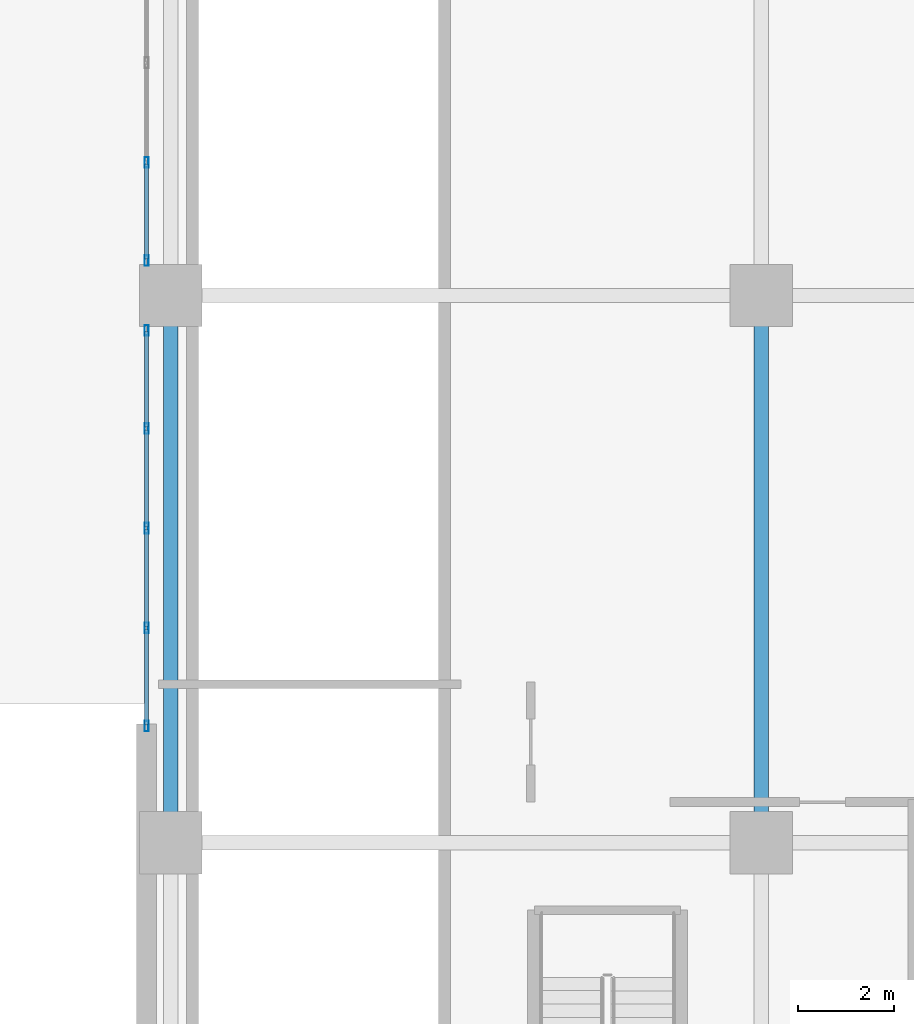
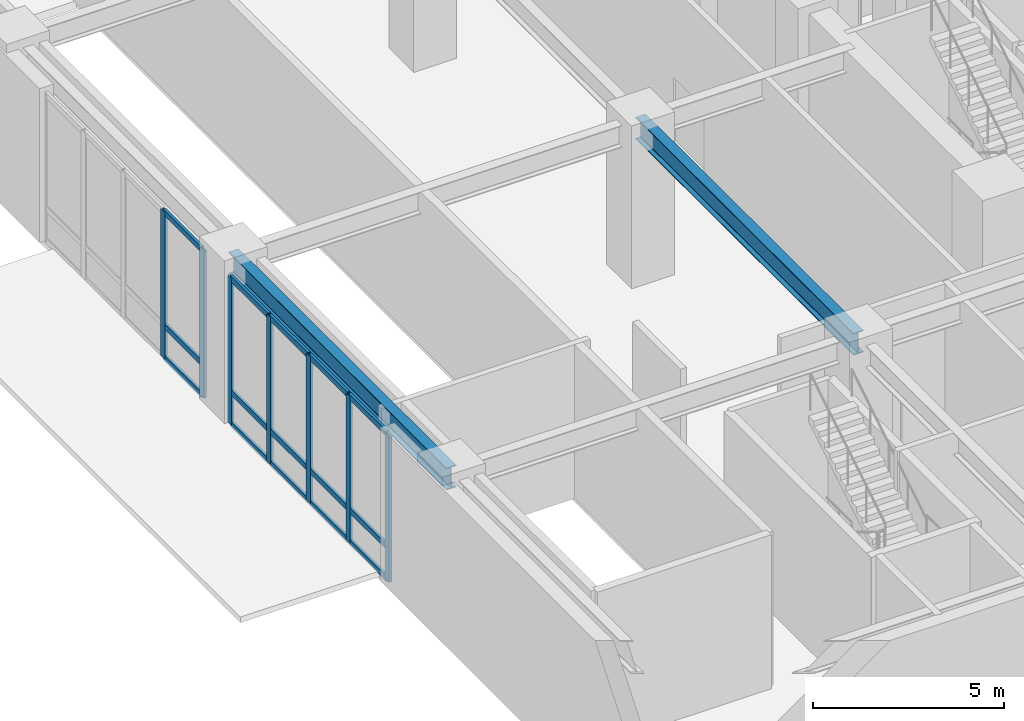
# One storey, part 3 of 23: 22 members, 2 beams, 2 elements without a shape of their own.
"""IFC4 building model written with IfcOpenShell, lengths in metres."""

from ifc_helpers import new_model, si_unit, direction, frame, origin, origin_2d, place, context, subcontext, project, spatial, hollow_rectangle, i_section, extrude, material, layer, layer_set, material_profile, profile_set, type_object, element, aggregate, save


model = new_model("IFC4")

# Units and contexts
model_context = context("Model", 3, precision=1e-05, world=origin(), true_north=direction((0.0, 1.0)))
body_context = subcontext(model_context, "Body", "Model", "MODEL_VIEW")
ifc_project = project(units=[si_unit("LENGTHUNIT", "METRE"), si_unit("AREAUNIT", "SQUARE_METRE"), si_unit("VOLUMEUNIT", "CUBIC_METRE"), si_unit("PLANEANGLEUNIT", "RADIAN"), si_unit("MASSUNIT", "GRAM", prefix="KILO")], contexts=[model_context])

# Site, building, storey
site_placement = place(None, origin())
site = spatial("IfcSite", under=ifc_project, at=site_placement, CompositionType="ELEMENT")
building_placement = place(site_placement, origin())
building = spatial("IfcBuilding", under=site, at=building_placement, Name="Voryun Gate Residences", CompositionType="ELEMENT")
storey_placement = place(building_placement, origin())
storey = spatial("IfcBuildingStorey", under=building, at=storey_placement, Name="L00", CompositionType="ELEMENT", Elevation=0.0)

# Beams
ifc_material_1 = material(Name="Steel SM355", Category="steel")
ifc_material_profile_1 = material_profile(ifc_material_1, i_section(OverallWidth=0.300048828125, OverallDepth=0.699951171875, WebThickness=0.012939453125, FlangeThickness=0.02392578125, FilletRadius=0.01806640625, at=origin_2d()), Name="H-700x300x13x24")
ifc_profile_set_1 = profile_set([ifc_material_profile_1], Name="Steel SM355")
beam_type = type_object("IfcBeamType", Name="BM_GIRD_700", PredefinedType="USERDEFINED", material=ifc_profile_set_1)
for number, where, z_axis, x_axis, name in (
    (1, (-37.89990234375, -11.39990234375, 4.570068359375), (0.0, 1.0, 0.0), (-1.0, 0.0, 0.0), "BM-L00-PWY--37.9-1"),
    (2, (-25.60009765625, -11.39990234375, 4.570068359375), (0.0, 1.0, 0.0), (-1.0, 0.0, 0.0), "BM-L00-PWY--25.6-1"),
):
    element("IfcBeam", number, at=place(storey_placement, frame(where, z_axis=z_axis, x_axis=x_axis)), inside=storey, type_object=beam_type, Name=name, ObjectType="GIRDER", PredefinedType="USERDEFINED", context=body_context, shape_type="SweptSolid", body=[
        extrude(i_section(OverallWidth=0.300048828125, OverallDepth=0.699951171875, WebThickness=0.012939453125, FlangeThickness=0.02392578125, FilletRadius=0.01806640625, at=origin_2d()), origin(), (0.0, 0.0, 1.0), 11.39990234375),
    ])

# Curtain wall, members
ifc_material_2 = material(Name="Anodised aluminium", Category="aluminium")
ifc_layer = layer(ifc_material_2, 0.219970703125, Name="CW_SYS_POD_DARK_GLASS")
ifc_layer_set = layer_set([ifc_layer], Name="Anodised aluminium")
curtain_wall_type = type_object("IfcCurtainWallType", Name="CW_SYS_POD_DARK_GLASS", PredefinedType="NOTDEFINED", material=ifc_layer_set)
curtain_wall_1_placement = place(storey_placement, origin())
curtain_wall_1 = element("IfcCurtainWall", 3, at=curtain_wall_1_placement, inside=storey, type_object=curtain_wall_type, Name="Curtain wall CW1-L00-WPW-S", PredefinedType="NOTDEFINED")
ifc_material_3 = material(Name="Anodised aluminium", Category="aluminium")
ifc_material_profile_2 = material_profile(ifc_material_3, hollow_rectangle(XDim=0.080078125, YDim=0.219970703125, WallThickness=0.0048828125, at=origin_2d()), Name="ALU-MULL-220x80x5")
ifc_profile_set_2 = profile_set([ifc_material_profile_2], Name="Anodised aluminium")
member_type_1 = type_object("IfcMemberType", Name="CW_MULL_POD", PredefinedType="MULLION", material=ifc_profile_set_2)
member_1_placement = place(storey_placement, frame((-38.39990234375, -8.969970703125, 0.0), z_axis=(0.0, 0.0, 1.0), x_axis=(-1.0, 0.0, 0.0)))
member_1 = element("IfcMember", 4, at=member_1_placement, type_object=member_type_1, Name="CW1 mullion 1", PredefinedType="MULLION", context=body_context, shape_type="SweptSolid", body=[
    extrude(hollow_rectangle(XDim=0.080078125, YDim=0.219970703125, WallThickness=0.0048828125, at=origin_2d()), origin(), (0.0, 0.0, 1.0), 4.699951171875),
])
member_2_placement = place(storey_placement, frame((-38.39990234375, -6.923828125, 0.0), z_axis=(0.0, 0.0, 1.0), x_axis=(-1.0, 0.0, 0.0)))
member_2 = element("IfcMember", 5, at=member_2_placement, type_object=member_type_1, Name="CW1 mullion 2", PredefinedType="MULLION", context=body_context, shape_type="SweptSolid", body=[
    extrude(hollow_rectangle(XDim=0.080078125, YDim=0.219970703125, WallThickness=0.0048828125, at=origin_2d()), origin(), (0.0, 0.0, 1.0), 4.699951171875),
])
member_3_placement = place(storey_placement, frame((-38.39990234375, -4.847412109375, 0.0), z_axis=(0.0, 0.0, 1.0), x_axis=(-1.0, 0.0, 0.0)))
member_3 = element("IfcMember", 6, at=member_3_placement, type_object=member_type_1, Name="CW1 mullion 3", PredefinedType="MULLION", context=body_context, shape_type="SweptSolid", body=[
    extrude(hollow_rectangle(XDim=0.080078125, YDim=0.219970703125, WallThickness=0.0048828125, at=origin_2d()), origin(), (0.0, 0.0, 1.0), 4.699951171875),
])
member_4_placement = place(storey_placement, frame((-38.39990234375, -2.771240234375, 0.0), z_axis=(0.0, 0.0, 1.0), x_axis=(-1.0, 0.0, 0.0)))
member_4 = element("IfcMember", 7, at=member_4_placement, type_object=member_type_1, Name="CW1 mullion 4", PredefinedType="MULLION", context=body_context, shape_type="SweptSolid", body=[
    extrude(hollow_rectangle(XDim=0.080078125, YDim=0.219970703125, WallThickness=0.0048828125, at=origin_2d()), origin(), (0.0, 0.0, 1.0), 4.699951171875),
])
member_5_placement = place(storey_placement, frame((-38.39990234375, -0.72509765625, 0.0), z_axis=(0.0, 0.0, 1.0), x_axis=(-1.0, 0.0, 0.0)))
member_5 = element("IfcMember", 8, at=member_5_placement, type_object=member_type_1, Name="CW1 mullion 5", PredefinedType="MULLION", context=body_context, shape_type="SweptSolid", body=[
    extrude(hollow_rectangle(XDim=0.080078125, YDim=0.219970703125, WallThickness=0.0048828125, at=origin_2d()), origin(), (0.0, 0.0, 1.0), 4.699951171875),
])

curtain_wall_2_placement = place(storey_placement, origin())
curtain_wall_2 = element("IfcCurtainWall", 9, at=curtain_wall_2_placement, inside=storey, type_object=curtain_wall_type, Name="Curtain wall CW1-L00-WPW-N", PredefinedType="NOTDEFINED")
member_6_placement = place(storey_placement, frame((-38.39990234375, 0.72509765625, 0.0), z_axis=(0.0, 0.0, 1.0), x_axis=(-1.0, 0.0, 0.0)))
member_6 = element("IfcMember", 10, at=member_6_placement, type_object=member_type_1, Name="CW1 mullion 1", PredefinedType="MULLION", context=body_context, shape_type="SweptSolid", body=[
    extrude(hollow_rectangle(XDim=0.080078125, YDim=0.219970703125, WallThickness=0.0048828125, at=origin_2d()), origin(), (0.0, 0.0, 1.0), 4.699951171875),
])
member_7_placement = place(storey_placement, frame((-38.39990234375, 2.771240234375, 0.0), z_axis=(0.0, 0.0, 1.0), x_axis=(-1.0, 0.0, 0.0)))
member_7 = element("IfcMember", 11, at=member_7_placement, type_object=member_type_1, Name="CW1 mullion 2", PredefinedType="MULLION", context=body_context, shape_type="SweptSolid", body=[
    extrude(hollow_rectangle(XDim=0.080078125, YDim=0.219970703125, WallThickness=0.0048828125, at=origin_2d()), origin(), (0.0, 0.0, 1.0), 4.699951171875),
])

# Member
ifc_material_4 = material(Name="Anodised aluminium", Category="aluminium")
ifc_material_profile_3 = material_profile(ifc_material_4, hollow_rectangle(XDim=0.080078125, YDim=0.179931640625, WallThickness=0.0048828125, at=origin_2d()), Name="ALU-TRAN-180x80x5")
ifc_profile_set_3 = profile_set([ifc_material_profile_3], Name="Anodised aluminium")
member_type_2 = type_object("IfcMemberType", Name="CW_TRAN_POD", PredefinedType="USERDEFINED", material=ifc_profile_set_3)
member_8_placement = place(storey_placement, frame((-38.39990234375, -8.93994140625, 0.030029296875), z_axis=(0.0, 1.0, 0.0), x_axis=(-1.0, 0.0, 0.0)))
member_8 = element("IfcMember", 12, at=member_8_placement, type_object=member_type_2, Name="CW1 transom 1.1", ObjectType="TRANSOM", PredefinedType="USERDEFINED", context=body_context, shape_type="SweptSolid", body=[
    extrude(hollow_rectangle(XDim=0.080078125, YDim=0.179931640625, WallThickness=0.0048828125, at=origin_2d()), origin(), (0.0, 0.0, 1.0), 1.986083984375),
])

member_9_placement = place(storey_placement, frame((-38.39990234375, -8.93994140625, 1.050048828125), z_axis=(0.0, 1.0, 0.0), x_axis=(-1.0, 0.0, 0.0)))
member_9 = element("IfcMember", 13, at=member_9_placement, type_object=member_type_2, Name="CW1 transom 1.2", ObjectType="TRANSOM", PredefinedType="USERDEFINED", context=body_context, shape_type="SweptSolid", body=[
    extrude(hollow_rectangle(XDim=0.080078125, YDim=0.179931640625, WallThickness=0.0048828125, at=origin_2d()), origin(), (0.0, 0.0, 1.0), 1.986083984375),
])

member_10_placement = place(storey_placement, frame((-38.39990234375, -8.93994140625, 4.669921875), z_axis=(0.0, 1.0, 0.0), x_axis=(-1.0, 0.0, 0.0)))
member_10 = element("IfcMember", 14, at=member_10_placement, type_object=member_type_2, Name="CW1 transom 1.3", ObjectType="TRANSOM", PredefinedType="USERDEFINED", context=body_context, shape_type="SweptSolid", body=[
    extrude(hollow_rectangle(XDim=0.080078125, YDim=0.179931640625, WallThickness=0.0048828125, at=origin_2d()), origin(), (0.0, 0.0, 1.0), 1.986083984375),
])

member_11_placement = place(storey_placement, frame((-38.39990234375, -6.893798828125, 0.030029296875), z_axis=(0.0, 1.0, 0.0), x_axis=(-1.0, 0.0, 0.0)))
member_11 = element("IfcMember", 15, at=member_11_placement, type_object=member_type_2, Name="CW1 transom 2.1", ObjectType="TRANSOM", PredefinedType="USERDEFINED", context=body_context, shape_type="SweptSolid", body=[
    extrude(hollow_rectangle(XDim=0.080078125, YDim=0.179931640625, WallThickness=0.0048828125, at=origin_2d()), origin(), (0.0, 0.0, 1.0), 2.016357421875),
])

member_12_placement = place(storey_placement, frame((-38.39990234375, -6.893798828125, 1.050048828125), z_axis=(0.0, 1.0, 0.0), x_axis=(-1.0, 0.0, 0.0)))
member_12 = element("IfcMember", 16, at=member_12_placement, type_object=member_type_2, Name="CW1 transom 2.2", ObjectType="TRANSOM", PredefinedType="USERDEFINED", context=body_context, shape_type="SweptSolid", body=[
    extrude(hollow_rectangle(XDim=0.080078125, YDim=0.179931640625, WallThickness=0.0048828125, at=origin_2d()), origin(), (0.0, 0.0, 1.0), 2.016357421875),
])

member_13_placement = place(storey_placement, frame((-38.39990234375, -6.893798828125, 4.669921875), z_axis=(0.0, 1.0, 0.0), x_axis=(-1.0, 0.0, 0.0)))
member_13 = element("IfcMember", 17, at=member_13_placement, type_object=member_type_2, Name="CW1 transom 2.3", ObjectType="TRANSOM", PredefinedType="USERDEFINED", context=body_context, shape_type="SweptSolid", body=[
    extrude(hollow_rectangle(XDim=0.080078125, YDim=0.179931640625, WallThickness=0.0048828125, at=origin_2d()), origin(), (0.0, 0.0, 1.0), 2.016357421875),
])

member_14_placement = place(storey_placement, frame((-38.39990234375, -4.8173828125, 0.030029296875), z_axis=(0.0, 1.0, 0.0), x_axis=(-1.0, 0.0, 0.0)))
member_14 = element("IfcMember", 18, at=member_14_placement, type_object=member_type_2, Name="CW1 transom 3.1", ObjectType="TRANSOM", PredefinedType="USERDEFINED", context=body_context, shape_type="SweptSolid", body=[
    extrude(hollow_rectangle(XDim=0.080078125, YDim=0.179931640625, WallThickness=0.0048828125, at=origin_2d()), origin(), (0.0, 0.0, 1.0), 2.01611328125),
])

member_15_placement = place(storey_placement, frame((-38.39990234375, -4.8173828125, 1.050048828125), z_axis=(0.0, 1.0, 0.0), x_axis=(-1.0, 0.0, 0.0)))
member_15 = element("IfcMember", 19, at=member_15_placement, type_object=member_type_2, Name="CW1 transom 3.2", ObjectType="TRANSOM", PredefinedType="USERDEFINED", context=body_context, shape_type="SweptSolid", body=[
    extrude(hollow_rectangle(XDim=0.080078125, YDim=0.179931640625, WallThickness=0.0048828125, at=origin_2d()), origin(), (0.0, 0.0, 1.0), 2.01611328125),
])

member_16_placement = place(storey_placement, frame((-38.39990234375, -4.8173828125, 4.669921875), z_axis=(0.0, 1.0, 0.0), x_axis=(-1.0, 0.0, 0.0)))
member_16 = element("IfcMember", 20, at=member_16_placement, type_object=member_type_2, Name="CW1 transom 3.3", ObjectType="TRANSOM", PredefinedType="USERDEFINED", context=body_context, shape_type="SweptSolid", body=[
    extrude(hollow_rectangle(XDim=0.080078125, YDim=0.179931640625, WallThickness=0.0048828125, at=origin_2d()), origin(), (0.0, 0.0, 1.0), 2.01611328125),
])

member_17_placement = place(storey_placement, frame((-38.39990234375, -2.7412109375, 0.030029296875), z_axis=(0.0, 1.0, 0.0), x_axis=(-1.0, 0.0, 0.0)))
member_17 = element("IfcMember", 21, at=member_17_placement, type_object=member_type_2, Name="CW1 transom 4.1", ObjectType="TRANSOM", PredefinedType="USERDEFINED", context=body_context, shape_type="SweptSolid", body=[
    extrude(hollow_rectangle(XDim=0.080078125, YDim=0.179931640625, WallThickness=0.0048828125, at=origin_2d()), origin(), (0.0, 0.0, 1.0), 1.986328125),
])

member_18_placement = place(storey_placement, frame((-38.39990234375, -2.7412109375, 1.050048828125), z_axis=(0.0, 1.0, 0.0), x_axis=(-1.0, 0.0, 0.0)))
member_18 = element("IfcMember", 22, at=member_18_placement, type_object=member_type_2, Name="CW1 transom 4.2", ObjectType="TRANSOM", PredefinedType="USERDEFINED", context=body_context, shape_type="SweptSolid", body=[
    extrude(hollow_rectangle(XDim=0.080078125, YDim=0.179931640625, WallThickness=0.0048828125, at=origin_2d()), origin(), (0.0, 0.0, 1.0), 1.986328125),
])

member_19_placement = place(storey_placement, frame((-38.39990234375, -2.7412109375, 4.669921875), z_axis=(0.0, 1.0, 0.0), x_axis=(-1.0, 0.0, 0.0)))
member_19 = element("IfcMember", 23, at=member_19_placement, type_object=member_type_2, Name="CW1 transom 4.3", ObjectType="TRANSOM", PredefinedType="USERDEFINED", context=body_context, shape_type="SweptSolid", body=[
    extrude(hollow_rectangle(XDim=0.080078125, YDim=0.179931640625, WallThickness=0.0048828125, at=origin_2d()), origin(), (0.0, 0.0, 1.0), 1.986328125),
])

aggregate(curtain_wall_1, [member_1, member_2, member_3, member_4, member_5, member_8, member_9, member_10, member_11, member_12, member_13, member_14, member_15, member_16, member_17, member_18, member_19])

member_20_placement = place(storey_placement, frame((-38.39990234375, 0.7548828125, 0.030029296875), z_axis=(0.0, 1.0, 0.0), x_axis=(-1.0, 0.0, 0.0)))
member_20 = element("IfcMember", 24, at=member_20_placement, type_object=member_type_2, Name="CW1 transom 1.1", ObjectType="TRANSOM", PredefinedType="USERDEFINED", context=body_context, shape_type="SweptSolid", body=[
    extrude(hollow_rectangle(XDim=0.080078125, YDim=0.179931640625, WallThickness=0.0048828125, at=origin_2d()), origin(), (0.0, 0.0, 1.0), 1.986328125),
])

member_21_placement = place(storey_placement, frame((-38.39990234375, 0.7548828125, 1.050048828125), z_axis=(0.0, 1.0, 0.0), x_axis=(-1.0, 0.0, 0.0)))
member_21 = element("IfcMember", 25, at=member_21_placement, type_object=member_type_2, Name="CW1 transom 1.2", ObjectType="TRANSOM", PredefinedType="USERDEFINED", context=body_context, shape_type="SweptSolid", body=[
    extrude(hollow_rectangle(XDim=0.080078125, YDim=0.179931640625, WallThickness=0.0048828125, at=origin_2d()), origin(), (0.0, 0.0, 1.0), 1.986328125),
])

member_22_placement = place(storey_placement, frame((-38.39990234375, 0.7548828125, 4.669921875), z_axis=(0.0, 1.0, 0.0), x_axis=(-1.0, 0.0, 0.0)))
member_22 = element("IfcMember", 26, at=member_22_placement, type_object=member_type_2, Name="CW1 transom 1.3", ObjectType="TRANSOM", PredefinedType="USERDEFINED", context=body_context, shape_type="SweptSolid", body=[
    extrude(hollow_rectangle(XDim=0.080078125, YDim=0.179931640625, WallThickness=0.0048828125, at=origin_2d()), origin(), (0.0, 0.0, 1.0), 1.986328125),
])

aggregate(curtain_wall_2, [member_6, member_7, member_20, member_21, member_22])

save(model, "model.ifc")
